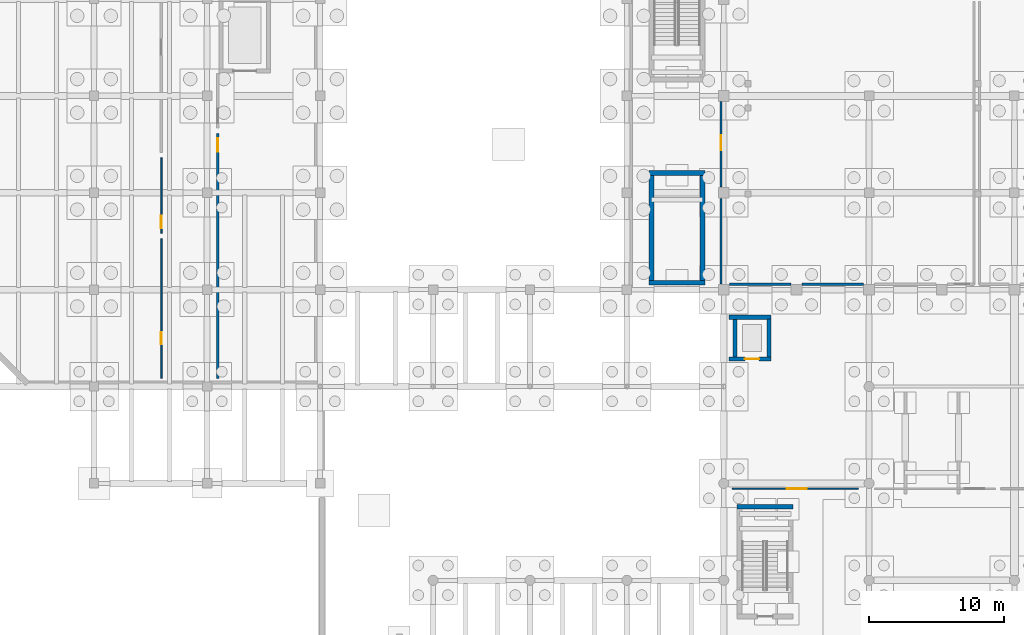
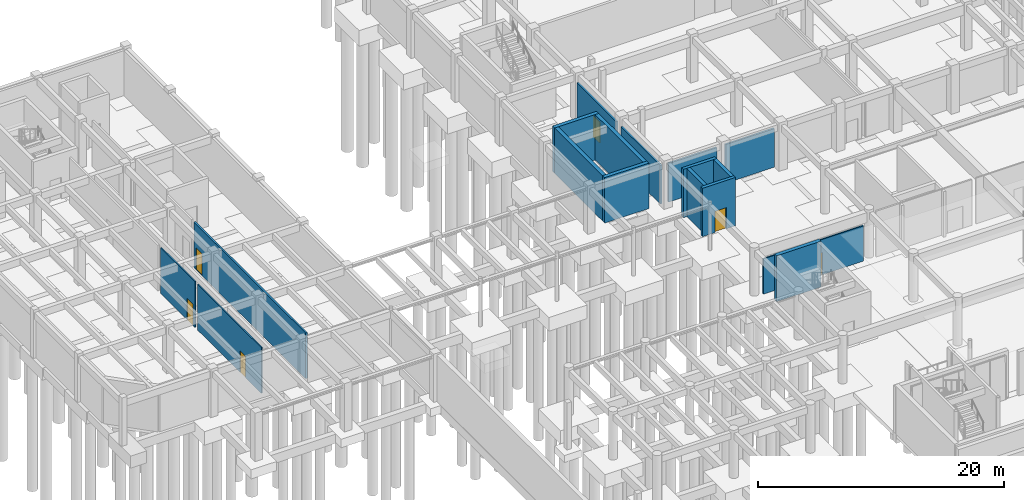
# One storey, part 25 of 46: 17 walls, 6 doors, 6 openings.
"""IFC4 building model written with IfcOpenShell, lengths in metres."""

from ifc_helpers import new_model, si_unit, direction, frame, frame_2d, origin, place, context, subcontext, project, spatial, rectangle, extrude, material, layer, layer_set, type_object, element, fill, save


model = new_model("IFC4")

# Units and contexts
model_context = context("Model", 3, precision=1e-05, world=origin(), true_north=direction((0.0, 1.0)))
body_context = subcontext(model_context, "Body", "Model", "MODEL_VIEW")
ifc_project = project(units=[si_unit("LENGTHUNIT", "METRE"), si_unit("AREAUNIT", "SQUARE_METRE"), si_unit("VOLUMEUNIT", "CUBIC_METRE"), si_unit("PLANEANGLEUNIT", "RADIAN"), si_unit("MASSUNIT", "GRAM", prefix="KILO")], contexts=[model_context])

# Site, building, storey
site_placement = place(None, origin())
site = spatial("IfcSite", under=ifc_project, at=site_placement, CompositionType="ELEMENT")
building_placement = place(site_placement, origin())
building = spatial("IfcBuilding", under=site, at=building_placement, Name="Tazoul Stagehouse", CompositionType="ELEMENT")
storey_placement = place(building_placement, frame((0.0, 0.0, -4.800048828125)))
storey = spatial("IfcBuildingStorey", under=building, at=storey_placement, Name="B1", CompositionType="ELEMENT", Elevation=-4.800048828125)

# Walls
ifc_material_1 = material(Name="Concrete C40/50", Category="concrete")
ifc_layer_1 = layer(ifc_material_1, 0.35009765625, Name="Concrete C40/50")
ifc_layer_set_1 = layer_set([ifc_layer_1], Name="Concrete C40/50")
wall_type_1 = type_object("IfcWallType", Name="Core Shear Wall 350", PredefinedType="SOLIDWALL", material=ifc_layer_set_1)
wall_1_placement = place(storey_placement, frame((56.199951171875, 52.31494140625, 0.0), z_axis=(0.0, 0.0, 1.0), x_axis=(-1.0, 0.0, 0.0)))
element("IfcWall", 1, at=wall_1_placement, inside=storey, type_object=wall_type_1, Name="B1 Core Wall CW-350 (SHF-ST-05-south)", PredefinedType="SOLIDWALL", context=body_context, shape_type="SweptSolid", body=[
    extrude(rectangle(XDim=4.14990234375, YDim=0.35009765625, at=frame_2d((2.074951171875, 0.0))), origin(), (0.0, 0.0, 1.0), 4.52001953125),
])
wall_2_placement = place(storey_placement, frame((52.22509765625, 52.489990234375, 0.0), z_axis=(0.0, 0.0, 1.0), x_axis=(0.0, 1.0, 0.0)))
element("IfcWall", 2, at=wall_2_placement, inside=storey, type_object=wall_type_1, Name="B1 Core Wall CW-350 (SHF-ST-05-west)", PredefinedType="SOLIDWALL", context=body_context, shape_type="SweptSolid", body=[
    extrude(rectangle(XDim=7.800048828125, YDim=0.35009765625, at=frame_2d((3.89990234375, 0.0))), origin(), (0.0, 0.0, 1.0), 4.52001953125),
])
wall_3_placement = place(storey_placement, frame((52.050048828125, 60.465087890625, 0.0), z_axis=(0.0, 0.0, 1.0), x_axis=(1.0, 0.0, 0.0)))
element("IfcWall", 3, at=wall_3_placement, inside=storey, type_object=wall_type_1, Name="B1 Core Wall CW-350 (SHF-ST-05-north)", PredefinedType="SOLIDWALL", context=body_context, shape_type="SweptSolid", body=[
    extrude(rectangle(XDim=4.14990234375, YDim=0.35009765625, at=frame_2d((2.074951171875, 0.0))), origin(), (0.0, 0.0, 1.0), 4.52001953125),
])
wall_4_placement = place(storey_placement, frame((56.02490234375, 60.2900390625, 0.0), z_axis=(0.0, 0.0, 1.0), x_axis=(0.0, -1.0, 0.0)))
element("IfcWall", 4, at=wall_4_placement, inside=storey, type_object=wall_type_1, Name="B1 Core Wall CW-350 (SHF-ST-05-east)", PredefinedType="SOLIDWALL", context=body_context, shape_type="SweptSolid", body=[
    extrude(rectangle(XDim=7.800048828125, YDim=0.35009765625, at=frame_2d((3.89990234375, 0.0))), origin(), (0.0, 0.0, 1.0), 4.52001953125),
])
wall_5_placement = place(storey_placement, frame((58.60009765625, 35.655029296875, 0.0), z_axis=(0.0, 0.0, 1.0), x_axis=(1.0, 0.0, 0.0)))
element("IfcWall", 5, at=wall_5_placement, inside=storey, type_object=wall_type_1, Name="B1 Core Wall CW-350 (SHF-ST-B8-north)", PredefinedType="SOLIDWALL", context=body_context, shape_type="SweptSolid", body=[
    extrude(rectangle(XDim=4.14990234375, YDim=0.35009765625, at=frame_2d((2.074951171875, 0.0))), origin(), (0.0, 0.0, 1.0), 4.56005859375),
])
ifc_material_2 = material(Name="Gypsum Acoustic Partition", Category="gypsum")
ifc_layer_2 = layer(ifc_material_2, 0.169921875, Name="Gypsum Acoustic Partition")
ifc_layer_set_2 = layer_set([ifc_layer_2], Name="Gypsum Acoustic Partition")
wall_type_2 = type_object("IfcWallType", Name="Corridor Fire-Rated Partition 170", PredefinedType="PARTITIONING", material=ifc_layer_set_2)
for number, where, z_axis, x_axis, name in (
    (6, (67.97998046875, 52.199951171875, 0.0), (0.0, 0.0, 1.0), (-1.0, 0.0, 0.0), "B1 Partition PW-170 (PW-RM-B1-002-S-S3)"),
    (7, (62.580078125, 52.199951171875, 0.0), (0.0, 0.0, 1.0), (-1.0, 0.0, 0.0), "B1 Partition PW-170 (PW-RM-B1-002-S-S4)"),
):
    element("IfcWall", number, at=place(storey_placement, frame(where, z_axis=z_axis, x_axis=x_axis)), inside=storey, type_object=wall_type_2, Name=name, PredefinedType="PARTITIONING", context=body_context, shape_type="SweptSolid", body=[
        extrude(rectangle(XDim=4.56005859375, YDim=0.169921875, at=frame_2d((2.280029296875, 0.0))), origin(), (0.0, 0.0, 1.0), 3.840087890625),
    ])

# Wall, opening, door
wall_6_placement = place(storey_placement, frame((20.0, 45.199951171875, 0.0), z_axis=(0.0, 0.0, 1.0), x_axis=(0.0, 1.0, 0.0)))
wall_6 = element("IfcWall", 8, at=wall_6_placement, inside=storey, type_object=wall_type_2, Name="B1 Partition PW-170 (PW-RM-B1-016-W)", PredefinedType="PARTITIONING", context=body_context, shape_type="SweptSolid", body=[
    extrude(rectangle(XDim=18.199951171875, YDim=0.169921875, at=frame_2d((9.10009765625, 0.0))), origin(), (0.0, 0.0, 1.0), 4.5400390625),
])
opening_1_placement = place(wall_6_placement, frame((16.85009765625, 0.0, 0.0)))
opening_1 = element("IfcOpeningElement", 9, at=opening_1_placement, cuts=wall_6, Name="Opening ID-06", PredefinedType="OPENING", context=body_context, shape_type="SweptSolid", body=[
    extrude(rectangle(XDim=1.0, YDim=2.199951171875, at=frame_2d((0.5, 1.10009765625))), frame((0.0, 0.10498046875, 0.0), z_axis=(0.0, -1.0, 0.0), x_axis=(1.0, 0.0, 0.0)), (0.0, 0.0, 1.0), 0.2099609375),
])
ifc_material_3 = material(Name="Acoustic Cedar Timber", Category="wood")
door_type_1 = type_object("IfcDoorType", Name="Archive Rated Door 1000x2200", OperationType="NOTDEFINED", PredefinedType="DOOR", material=ifc_material_3)
door_1_placement = place(opening_1_placement, origin())
door_1 = element("IfcDoor", 10, at=door_1_placement, inside=storey, type_object=door_type_1, Name="B1 Audio-Visual Archive Vault Door", OperationType="SINGLE_SWING_RIGHT", OverallHeight=2.199951171875, OverallWidth=1.0, PredefinedType="DOOR", context=body_context, shape_type="SweptSolid", body=[
    extrude(rectangle(XDim=1.0, YDim=2.199951171875, at=frame_2d((0.5, 1.10009765625))), frame((0.0, 0.02490234375, 0.0), z_axis=(0.0, -1.0, 0.0), x_axis=(1.0, 0.0, 0.0)), (0.0, 0.0, 1.0), 0.050048828125),
])
fill(opening_1, door_1)

wall_7_placement = place(storey_placement, frame((57.39990234375, 65.780029296875, 0.0), z_axis=(0.0, 0.0, 1.0), x_axis=(0.0, -1.0, 0.0)))
wall_7 = element("IfcWall", 11, at=wall_7_placement, inside=storey, type_object=wall_type_2, Name="B1 Partition PW-170 (PW-RM-B1-101-E-S1)", PredefinedType="PARTITIONING", context=body_context, shape_type="SweptSolid", body=[
    extrude(rectangle(XDim=6.360107421875, YDim=0.169921875, at=frame_2d((3.18017578125, 0.0))), origin(), (0.0, 0.0, 1.0), 3.840087890625),
])
opening_2_placement = place(wall_7_placement, frame((2.510009765625, 0.0, 0.0)))
opening_2 = element("IfcOpeningElement", 12, at=opening_2_placement, cuts=wall_7, Name="Opening ID-09", PredefinedType="OPENING", context=body_context, shape_type="SweptSolid", body=[
    extrude(rectangle(XDim=1.10009765625, YDim=2.10009765625, at=frame_2d((0.550048828125, 1.050048828125))), frame((0.0, 0.10498046875, 0.0), z_axis=(0.0, -1.0, 0.0), x_axis=(1.0, 0.0, 0.0)), (0.0, 0.0, 1.0), 0.2099609375),
])
door_type_2 = type_object("IfcDoorType", Name="Store Room Steel Door 1100x2100", OperationType="NOTDEFINED", PredefinedType="DOOR", material=ifc_material_3)
door_2_placement = place(opening_2_placement, origin())
door_2 = element("IfcDoor", 13, at=door_2_placement, inside=storey, type_object=door_type_2, Name="B1 Auditorium Side Acoustic Plenum West Door", OperationType="SINGLE_SWING_RIGHT", OverallHeight=2.10009765625, OverallWidth=1.10009765625, PredefinedType="DOOR", context=body_context, shape_type="SweptSolid", body=[
    extrude(rectangle(XDim=1.10009765625, YDim=2.10009765625, at=frame_2d((0.550048828125, 1.050048828125))), frame((0.0, 0.02490234375, 0.0), z_axis=(0.0, -1.0, 0.0), x_axis=(1.0, 0.0, 0.0)), (0.0, 0.0, 1.0), 0.050048828125),
])
fill(opening_2, door_2)

# Wall
wall_8_placement = place(storey_placement, frame((57.39990234375, 58.580078125, 0.0), z_axis=(0.0, 0.0, 1.0), x_axis=(0.0, -1.0, 0.0)))
element("IfcWall", 14, at=wall_8_placement, inside=storey, type_object=wall_type_2, Name="B1 Partition PW-170 (PW-RM-B1-101-E-S2)", PredefinedType="PARTITIONING", context=body_context, shape_type="SweptSolid", body=[
    extrude(rectangle(XDim=6.360107421875, YDim=0.169921875, at=frame_2d((3.18017578125, 0.0))), origin(), (0.0, 0.0, 1.0), 3.840087890625),
])

# Wall, opening, door
ifc_layer_3 = layer(ifc_material_1, 0.300048828125, Name="Concrete C40/50")
ifc_layer_set_3 = layer_set([ifc_layer_3], Name="Concrete C40/50")
wall_type_3 = type_object("IfcWallType", Name="Lift Shaft Wall 300", PredefinedType="SOLIDWALL", material=ifc_layer_set_3)
wall_9_placement = place(storey_placement, frame((61.10009765625, 46.64990234375, 0.0), z_axis=(0.0, 0.0, 1.0), x_axis=(-1.0, 0.0, 0.0)))
wall_9 = element("IfcWall", 15, at=wall_9_placement, inside=storey, type_object=wall_type_3, Name="B1 Core Wall CW-300 (LSHF-PL-01-south)", PredefinedType="SOLIDWALL", context=body_context, shape_type="SweptSolid", body=[
    extrude(rectangle(XDim=3.10009765625, YDim=0.300048828125, at=frame_2d((1.550048828125, 0.0))), origin(), (0.0, 0.0, 1.0), 4.800048828125),
])
opening_3_placement = place(wall_9_placement, frame((0.875, 0.0, 0.0)))
opening_3 = element("IfcOpeningElement", 16, at=opening_3_placement, cuts=wall_9, Name="Opening LD-03", PredefinedType="OPENING", context=body_context, shape_type="SweptSolid", body=[
    extrude(rectangle(XDim=1.050048828125, YDim=2.10009765625, at=frame_2d((0.52490234375, 1.050048828125))), frame((0.0, 0.169921875, 0.0), z_axis=(0.0, -1.0, 0.0), x_axis=(1.0, 0.0, 0.0)), (0.0, 0.0, 1.0), 0.340087890625),
])
ifc_material_4 = material(Name="Powder-Coated Galvanised Acoustic Steel", Category="steel")
door_type_3 = type_object("IfcDoorType", Name="Passenger Lift Sliding Landing Door 1050x2100", OperationType="DOUBLE_DOOR_SLIDING", PredefinedType="DOOR", material=ifc_material_4)
door_3_placement = place(opening_3_placement, origin())
door_3 = element("IfcDoor", 17, at=door_3_placement, inside=storey, type_object=door_type_3, Name="B1 Lift Landing Sliding Door LD-03 (PL-01)", OperationType="DOUBLE_DOOR_SLIDING", OverallHeight=2.10009765625, OverallWidth=1.050048828125, PredefinedType="DOOR", context=body_context, shape_type="SweptSolid", body=[
    extrude(rectangle(XDim=1.050048828125, YDim=2.10009765625, at=frame_2d((0.52490234375, 1.050048828125))), frame((0.0, 0.02490234375, 0.0), z_axis=(0.0, -1.0, 0.0), x_axis=(1.0, 0.0, 0.0)), (0.0, 0.0, 1.0), 0.050048828125),
])
fill(opening_3, door_3)

# Walls
wall_10_placement = place(storey_placement, frame((58.449951171875, 46.800048828125, 0.0), z_axis=(0.0, 0.0, 1.0), x_axis=(0.0, 1.0, 0.0)))
element("IfcWall", 18, at=wall_10_placement, inside=storey, type_object=wall_type_3, Name="B1 Core Wall CW-300 (LSHF-PL-01-west)", PredefinedType="SOLIDWALL", context=body_context, shape_type="SweptSolid", body=[
    extrude(rectangle(XDim=2.800048828125, YDim=0.300048828125, at=frame_2d((1.39990234375, 0.0))), origin(), (0.0, 0.0, 1.0), 4.800048828125),
])
wall_11_placement = place(storey_placement, frame((58.0, 49.75, 0.0), z_axis=(0.0, 0.0, 1.0), x_axis=(1.0, 0.0, 0.0)))
element("IfcWall", 19, at=wall_11_placement, inside=storey, type_object=wall_type_3, Name="B1 Core Wall CW-300 (LSHF-PL-01-north)", PredefinedType="SOLIDWALL", context=body_context, shape_type="SweptSolid", body=[
    extrude(rectangle(XDim=3.10009765625, YDim=0.300048828125, at=frame_2d((1.550048828125, 0.0))), origin(), (0.0, 0.0, 1.0), 4.800048828125),
])
wall_12_placement = place(storey_placement, frame((60.949951171875, 49.60009765625, 0.0), z_axis=(0.0, 0.0, 1.0), x_axis=(0.0, -1.0, 0.0)))
element("IfcWall", 20, at=wall_12_placement, inside=storey, type_object=wall_type_3, Name="B1 Core Wall CW-300 (LSHF-PL-01-east)", PredefinedType="SOLIDWALL", context=body_context, shape_type="SweptSolid", body=[
    extrude(rectangle(XDim=2.800048828125, YDim=0.300048828125, at=frame_2d((1.39990234375, 0.0))), origin(), (0.0, 0.0, 1.0), 4.800048828125),
])

# Wall, opening, door
ifc_layer_4 = layer(ifc_material_2, 0.1298828125, Name="Gypsum Acoustic Partition")
ifc_layer_set_4 = layer_set([ifc_layer_4], Name="Gypsum Acoustic Partition")
wall_type_4 = type_object("IfcWallType", Name="Office Drywall Partition 130", PredefinedType="PARTITIONING", material=ifc_layer_set_4)
wall_13_placement = place(storey_placement, frame((67.60009765625, 37.0, 0.0), z_axis=(0.0, 0.0, 1.0), x_axis=(-1.0, 0.0, 0.0)))
wall_13 = element("IfcWall", 21, at=wall_13_placement, inside=storey, type_object=wall_type_4, Name="B1 Partition PW-130 (PW-RM-B1-011-S)", PredefinedType="PARTITIONING", context=body_context, shape_type="SweptSolid", body=[
    extrude(rectangle(XDim=9.400146484375, YDim=0.1298828125, at=frame_2d((4.7001953125, 0.0))), origin(), (0.0, 0.0, 1.0), 3.510009765625),
])
opening_4_placement = place(wall_13_placement, frame((3.85009765625, 0.0, 0.0)))
opening_4 = element("IfcOpeningElement", 22, at=opening_4_placement, cuts=wall_13, Name="Opening ID-21", PredefinedType="OPENING", context=body_context, shape_type="SweptSolid", body=[
    extrude(rectangle(XDim=1.449951171875, YDim=2.199951171875, at=frame_2d((0.72509765625, 1.10009765625))), frame((0.0, 0.0849609375, 0.0), z_axis=(0.0, -1.0, 0.0), x_axis=(1.0, 0.0, 0.0)), (0.0, 0.0, 1.0), 0.169921875),
])
door_type_4 = type_object("IfcDoorType", Name="Press Conference Double Door 1450x2200", OperationType="DOUBLE_DOOR_SINGLE_SWING", PredefinedType="DOOR", material=ifc_material_3)
door_4_placement = place(opening_4_placement, origin())
door_4 = element("IfcDoor", 23, at=door_4_placement, inside=storey, type_object=door_type_4, Name="B1 Metro Box Office and Ticketing Kiosk Door", OperationType="DOUBLE_DOOR_SINGLE_SWING", OverallHeight=2.199951171875, OverallWidth=1.449951171875, PredefinedType="DOOR", context=body_context, shape_type="SweptSolid", body=[
    extrude(rectangle(XDim=1.449951171875, YDim=2.199951171875, at=frame_2d((0.72509765625, 1.10009765625))), frame((0.0, 0.02490234375, 0.0), z_axis=(0.0, -1.0, 0.0), x_axis=(1.0, 0.0, 0.0)), (0.0, 0.0, 1.0), 0.050048828125),
])
fill(opening_4, door_4)

ifc_layer_5 = layer(ifc_material_2, 0.110107421875, Name="Gypsum Acoustic Partition")
ifc_layer_set_5 = layer_set([ifc_layer_5], Name="Gypsum Acoustic Partition")
wall_type_5 = type_object("IfcWallType", Name="Wet-Area Tile Backing Partition 110", PredefinedType="PARTITIONING", material=ifc_layer_set_5)
wall_14_placement = place(storey_placement, frame((15.800048828125, 55.60009765625, 0.0), z_axis=(0.0, 0.0, 1.0), x_axis=(0.0, -1.0, 0.0)))
wall_14 = element("IfcWall", 24, at=wall_14_placement, inside=storey, type_object=wall_type_5, Name="B1 Partition PW-110 (PW-RM-B1-013-E)", PredefinedType="PARTITIONING", context=body_context, shape_type="SweptSolid", body=[
    extrude(rectangle(XDim=10.400146484375, YDim=0.110107421875, at=frame_2d((5.2001953125, 0.0))), origin(), (0.0, 0.0, 1.0), 4.5400390625),
])
opening_5_placement = place(wall_14_placement, frame((6.949951171875, 0.0, 0.0)))
opening_5 = element("IfcOpeningElement", 25, at=opening_5_placement, cuts=wall_14, Name="Opening ID-05", PredefinedType="OPENING", context=body_context, shape_type="SweptSolid", body=[
    extrude(rectangle(XDim=0.89990234375, YDim=2.14990234375, at=frame_2d((0.449951171875, 1.074951171875))), frame((0.0, 0.074951171875, 0.0), z_axis=(0.0, -1.0, 0.0), x_axis=(1.0, 0.0, 0.0)), (0.0, 0.0, 1.0), 0.150146484375),
])
door_type_5 = type_object("IfcDoorType", Name="Office Timber Acoustic Door 900x2150", OperationType="NOTDEFINED", PredefinedType="DOOR", material=ifc_material_3)
door_5_placement = place(opening_5_placement, origin())
door_5 = element("IfcDoor", 26, at=door_5_placement, inside=storey, type_object=door_type_5, Name="B1 Metro Public Toilets WC Door", OperationType="SINGLE_SWING_LEFT", OverallHeight=2.14990234375, OverallWidth=0.89990234375, PredefinedType="DOOR", context=body_context, shape_type="SweptSolid", body=[
    extrude(rectangle(XDim=0.89990234375, YDim=2.14990234375, at=frame_2d((0.449951171875, 1.074951171875))), frame((0.0, 0.02490234375, 0.0), z_axis=(0.0, -1.0, 0.0), x_axis=(1.0, 0.0, 0.0)), (0.0, 0.0, 1.0), 0.050048828125),
])
fill(opening_5, door_5)

wall_15_placement = place(storey_placement, frame((15.800048828125, 61.60009765625, 0.0), z_axis=(0.0, 0.0, 1.0), x_axis=(0.0, -1.0, 0.0)))
wall_15 = element("IfcWall", 27, at=wall_15_placement, inside=storey, type_object=wall_type_5, Name="B1 Partition PW-110 (PW-RM-B1-014-E)", PredefinedType="PARTITIONING", context=body_context, shape_type="SweptSolid", body=[
    extrude(rectangle(XDim=5.60009765625, YDim=0.110107421875, at=frame_2d((2.800048828125, 0.0))), origin(), (0.0, 0.0, 1.0), 4.5400390625),
])
opening_6_placement = place(wall_15_placement, frame((4.300048828125, 0.0, 0.0)))
opening_6 = element("IfcOpeningElement", 28, at=opening_6_placement, cuts=wall_15, Name="Opening ID-02", PredefinedType="OPENING", context=body_context, shape_type="SweptSolid", body=[
    extrude(rectangle(XDim=0.949951171875, YDim=2.10009765625, at=frame_2d((0.47509765625, 1.050048828125))), frame((0.0, 0.074951171875, 0.0), z_axis=(0.0, -1.0, 0.0), x_axis=(1.0, 0.0, 0.0)), (0.0, 0.0, 1.0), 0.150146484375),
])
door_type_6 = type_object("IfcDoorType", Name="Accessible WC Door 950x2100", OperationType="NOTDEFINED", PredefinedType="DOOR", material=ifc_material_3)
door_6_placement = place(opening_6_placement, origin())
door_6 = element("IfcDoor", 29, at=door_6_placement, inside=storey, type_object=door_type_6, Name="B1 B1 Accessible WC Door", OperationType="SINGLE_SWING_RIGHT", OverallHeight=2.10009765625, OverallWidth=0.949951171875, PredefinedType="DOOR", context=body_context, shape_type="SweptSolid", body=[
    extrude(rectangle(XDim=0.949951171875, YDim=2.10009765625, at=frame_2d((0.47509765625, 1.050048828125))), frame((0.0, 0.02490234375, 0.0), z_axis=(0.0, -1.0, 0.0), x_axis=(1.0, 0.0, 0.0)), (0.0, 0.0, 1.0), 0.050048828125),
])
fill(opening_6, door_6)

save(model, "model.ifc")
